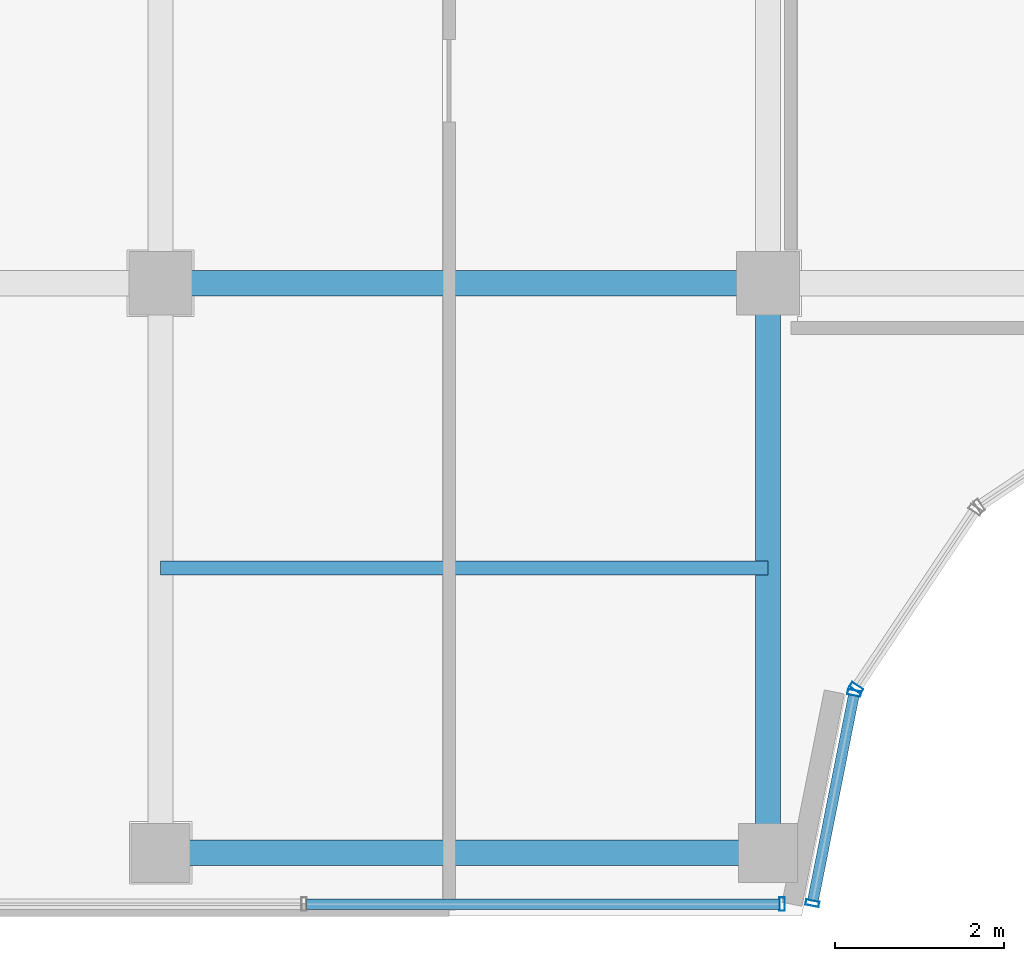
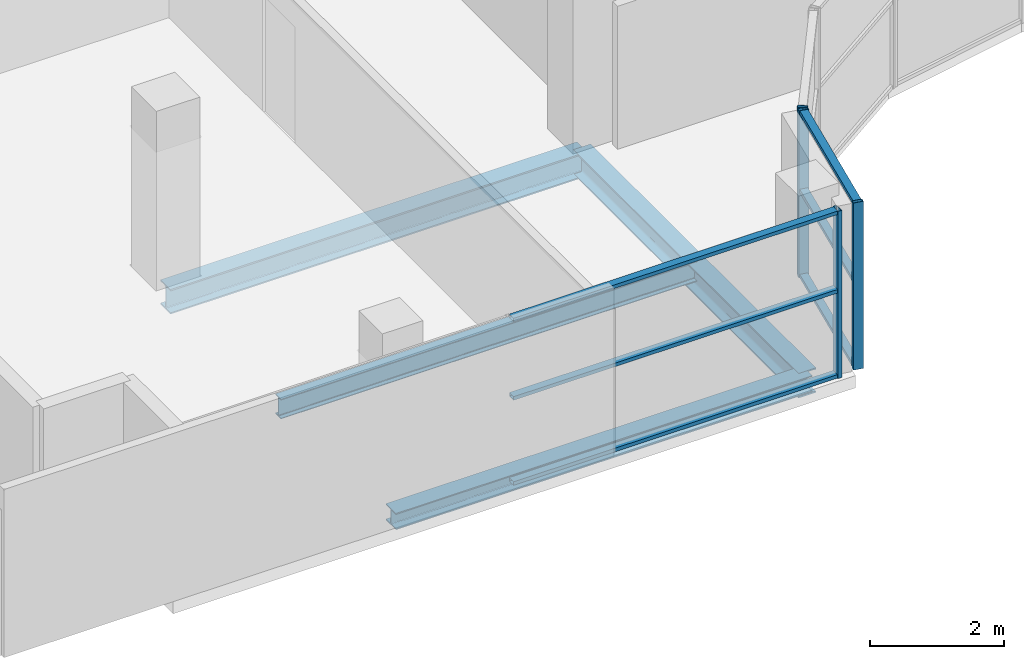
# One storey, part 3 of 29: 10 members, 4 beams, 3 elements without a shape of their own.
"""IFC4 building model written with IfcOpenShell, lengths in metres."""

import ifcopenshell
import ifcopenshell.guid

model = None  # the IFC model being written
_history = None  # IfcOwnerHistory: only IFC2X3 demands one
_inside = {}  # id of a spatial element -> (the spatial element, [elements in it])
_under = {}  # id of a project, library or spatial element -> (it, [spatial elements below it])
_declared = {}  # id of a project -> (the project, [libraries it declares])
_typed = {}  # id of a type object -> (the type object, [elements of that type])
_made_of = {}  # id of a material, layer set ... -> (it, [elements and type objects made of it])


def new_model(schema):
    """Start an empty IFC model of exactly this schema.

    Asked for "IFC4X3", IfcOpenShell would pick the latest addendum, in which some entities
    have other attributes; the version numbers below select the first issue.
    IFC2X3 requires an IfcOwnerHistory on every rooted entity: one is made here for all.
    """
    global model, _history
    if schema == "IFC4X3":
        model = ifcopenshell.file(schema_version=(4, 3, 0, 0))
    else:
        model = ifcopenshell.file(schema=schema)
    _inside.clear()
    _under.clear()
    _declared.clear()
    _typed.clear()
    _made_of.clear()
    _history = None
    if model.schema == "IFC2X3":
        org = make("IfcOrganization", Name="unknown")
        user = make(
            "IfcPersonAndOrganization",
            ThePerson=make("IfcPerson", FamilyName="unknown"),
            TheOrganization=org,
        )
        app = make(
            "IfcApplication",
            ApplicationDeveloper=org,
            Version="unknown",
            ApplicationFullName="unknown",
            ApplicationIdentifier="unknown",
        )
        _history = make(
            "IfcOwnerHistory",
            OwningUser=user,
            OwningApplication=app,
            ChangeAction="ADDED",
            CreationDate=0,
        )
    return model


def make(cls, **values):
    """One entity of the class cls with the attributes given. An attribute that is None is left unset."""
    return model.create_entity(
        cls, **{name: value for name, value in values.items() if value is not None}
    )


def rooted(cls, **values):
    """An entity with a GlobalId (a new one), such as an element, a storey or a relation."""
    return make(cls, GlobalId=ifcopenshell.guid.new(), OwnerHistory=_history, **values)


def si_unit(unit_type, name, prefix=None):
    """IfcSIUnit, for example si_unit("LENGTHUNIT", "METRE", prefix="MILLI")."""
    return make("IfcSIUnit", UnitType=unit_type, Prefix=prefix, Name=name)


def assignment(units):
    """IfcUnitAssignment: the units of a project."""
    return None if units is None else make("IfcUnitAssignment", Units=units)


def point(xyz):
    """IfcCartesianPoint."""
    return None if xyz is None else make("IfcCartesianPoint", Coordinates=xyz)


def direction(xyz):
    """IfcDirection."""
    return None if xyz is None else make("IfcDirection", DirectionRatios=xyz)


def frame(location, z_axis=None, x_axis=None):
    """IfcAxis2Placement3D, a coordinate frame: its origin and axes. An axis left out is left unset."""
    return make(
        "IfcAxis2Placement3D",
        Location=point(location),
        Axis=direction(z_axis),
        RefDirection=direction(x_axis),
    )


def frame_2d(location, x_axis=None):
    """IfcAxis2Placement2D, a coordinate frame in the plane: its origin and x axis."""
    return make(
        "IfcAxis2Placement2D", Location=point(location), RefDirection=direction(x_axis)
    )


def origin():
    """The frame at (0, 0, 0) with its axes left unset."""
    return frame((0.0, 0.0, 0.0))


def origin_2d():
    """The frame at (0, 0) in the plane with its x axis left unset."""
    return frame_2d((0.0, 0.0))


def place(relative_to, where):
    """IfcLocalPlacement: puts the frame where relative to a parent placement (None: the world)."""
    return make(
        "IfcLocalPlacement", PlacementRelTo=relative_to, RelativePlacement=where
    )


def context(
    kind, dimensions, precision=None, world=None, true_north=None, identifier=None
):
    """IfcGeometricRepresentationContext, for example the 3D "Model" context."""
    return make(
        "IfcGeometricRepresentationContext",
        ContextIdentifier=identifier,
        ContextType=kind,
        CoordinateSpaceDimension=dimensions,
        Precision=precision,
        WorldCoordinateSystem=world,
        TrueNorth=true_north,
    )


def subcontext(parent, identifier, kind, view, scale=None):
    """IfcGeometricRepresentationSubContext, for example "Body" below "Model"."""
    return make(
        "IfcGeometricRepresentationSubContext",
        ContextIdentifier=identifier,
        ContextType=kind,
        ParentContext=parent,
        TargetScale=scale,
        TargetView=view,
    )


def project(units=None, contexts=None):
    """IfcProject with its units and contexts."""
    return rooted(
        "IfcProject",
        Name="project",
        RepresentationContexts=contexts,
        UnitsInContext=assignment(units),
    )


def spatial(cls, under=None, at=None, **own):
    """A site, building, storey or space (cls), placed at a placement, below another one or the project."""
    s = rooted(cls, ObjectPlacement=at, **own)
    if under is not None:
        _under.setdefault(under.id(), (under, []))[1].append(s)
    return s


def profile(cls, at=None, kind="AREA", **sizes):
    """A parametric profile (cls). Its sizes go by their IFC names, for example OverallWidth=200.0."""
    return make(cls, ProfileType=kind, Position=at, **sizes)


def hollow_rectangle(**sizes):
    """IfcRectangleHollowProfileDef."""
    return profile("IfcRectangleHollowProfileDef", **sizes)


def i_section(**sizes):
    """IfcIShapeProfileDef."""
    return profile("IfcIShapeProfileDef", **sizes)


def extrude(swept, where, along, depth):
    """IfcExtrudedAreaSolid: the profile swept, set in the frame where, extruded along a direction by depth."""
    return make(
        "IfcExtrudedAreaSolid",
        SweptArea=swept,
        Position=where,
        ExtrudedDirection=direction(along),
        Depth=depth,
    )


def shape(context_of_items, identifier, shape_type, items):
    """IfcShapeRepresentation: the items that make up one representation, for example the "Body"."""
    return make(
        "IfcShapeRepresentation",
        ContextOfItems=context_of_items,
        RepresentationIdentifier=identifier,
        RepresentationType=shape_type,
        Items=items,
    )


def source(mapping_origin, context_of_items, identifier, shape_type, items):
    """IfcRepresentationMap: a shape defined once, which mapped items show again and again."""
    return make(
        "IfcRepresentationMap",
        MappingOrigin=mapping_origin,
        MappedRepresentation=shape(context_of_items, identifier, shape_type, items),
    )


def transform(
    local_origin,
    x_axis=None,
    y_axis=None,
    z_axis=None,
    scale=None,
    scale2=None,
    scale3=None,
    uniform=True,
):
    """IfcCartesianTransformationOperator3D, or its non-uniform kind. x_axis, y_axis, z_axis: its Axis1, 2, 3."""
    if uniform:
        return make(
            "IfcCartesianTransformationOperator3D",
            Axis1=direction(x_axis),
            Axis2=direction(y_axis),
            LocalOrigin=point(local_origin),
            Scale=scale,
            Axis3=direction(z_axis),
        )
    return make(
        "IfcCartesianTransformationOperator3DnonUniform",
        Axis1=direction(x_axis),
        Axis2=direction(y_axis),
        LocalOrigin=point(local_origin),
        Scale=scale,
        Axis3=direction(z_axis),
        Scale2=scale2,
        Scale3=scale3,
    )


def mapped(mapping_source, mapping_target):
    """IfcMappedItem: shows the shape of a source again, moved by a transform."""
    return make(
        "IfcMappedItem", MappingSource=mapping_source, MappingTarget=mapping_target
    )


def material(Name=None, Category=None):
    """IfcMaterial."""
    return make("IfcMaterial", Name=Name, Category=Category)


def layer(
    of_material, thickness, ventilated=None, Name=None, Category=None, Priority=None
):
    """IfcMaterialLayer: one layer of a wall or slab, of a material (None: an air gap)."""
    return make(
        "IfcMaterialLayer",
        Material=of_material,
        LayerThickness=thickness,
        IsVentilated=ventilated,
        Name=Name,
        Category=Category,
        Priority=Priority,
    )


def layer_set(layers, Name=None):
    """IfcMaterialLayerSet."""
    return make("IfcMaterialLayerSet", MaterialLayers=layers, LayerSetName=Name)


def material_profile(
    of_material, cross_section, Name=None, Category=None, Priority=None
):
    """IfcMaterialProfile: a cross section and its material."""
    return make(
        "IfcMaterialProfile",
        Name=Name,
        Material=of_material,
        Profile=cross_section,
        Priority=Priority,
        Category=Category,
    )


def profile_set(profiles, Name=None, composite=None):
    """IfcMaterialProfileSet."""
    return make(
        "IfcMaterialProfileSet",
        Name=Name,
        MaterialProfiles=profiles,
        CompositeProfile=composite,
    )


def made_of(thing, what):
    """Note that an element or type object is made of a material, layer set ...; save() writes the relation."""
    if what is not None:
        _made_of.setdefault(what.id(), (what, []))[1].append(thing)
    return thing


def type_object(cls, material=None, **own):
    """A type object (cls), such as IfcWallType, which elements share."""
    return made_of(rooted(cls, **own), material)


def element(
    cls,
    number,
    at=None,
    inside=None,
    cuts=None,
    type_object=None,
    material=None,
    context=None,
    identifier="Body",
    shape_type=None,
    held_by="IfcProductDefinitionShape",
    body=None,
    shapes=None,
    **own,
):
    """One element of the class cls, such as IfcWall. Its Tag is "e" and its number.

    at: its placement. inside: the storey or other place that contains it. cuts: it is an
    opening in that element (IfcRelVoidsElement). A single representation is given by context,
    identifier, shape_type and body (its items); several are given by shapes. held_by: the class
    of the entity that holds the representations. save() writes the other relations.
    """
    e = rooted(cls, Tag="e%d" % number, ObjectPlacement=at, **own)
    if body is not None:
        shapes = [shape(context, identifier, shape_type, body)]
    if shapes is not None:
        e.Representation = make(held_by, Representations=shapes)
    if inside is not None:
        _inside.setdefault(inside.id(), (inside, []))[1].append(e)
    if cuts is not None:
        rooted(
            "IfcRelVoidsElement", RelatingBuildingElement=cuts, RelatedOpeningElement=e
        )
    if type_object is not None:
        _typed.setdefault(type_object.id(), (type_object, []))[1].append(e)
    return made_of(e, material)


def aggregate(whole, parts):
    """IfcRelAggregates: a whole, such as a stair, and the parts it consists of."""
    return rooted("IfcRelAggregates", RelatingObject=whole, RelatedObjects=parts)


def save(model, path):
    """Write the relations noted so far, then the file.

    IfcRelAggregates (storeys below a building ...), IfcRelContainedInSpatialStructure (elements
    in a storey), IfcRelDefinesByType, IfcRelAssociatesMaterial and IfcRelDeclares: one each for
    every whole, place, type object, material and project.
    """
    for whole, parts in _under.values():
        aggregate(whole, parts)
    for where, things in _inside.values():
        rooted(
            "IfcRelContainedInSpatialStructure",
            RelatedElements=things,
            RelatingStructure=where,
        )
    for kind, things in _typed.values():
        rooted("IfcRelDefinesByType", RelatedObjects=things, RelatingType=kind)
    for what, things in _made_of.values():
        rooted("IfcRelAssociatesMaterial", RelatedObjects=things, RelatingMaterial=what)
    for by, libraries in _declared.values():
        rooted("IfcRelDeclares", RelatingContext=by, RelatedDefinitions=libraries)
    model.write(path)


model = new_model("IFC4")

# Units and contexts
model_context = context("Model", 3, precision=1e-05, world=origin(), true_north=direction((0.0, 1.0)))
body_context = subcontext(model_context, "Body", "Model", "MODEL_VIEW")
ifc_project = project(units=[si_unit("LENGTHUNIT", "METRE"), si_unit("AREAUNIT", "SQUARE_METRE"), si_unit("VOLUMEUNIT", "CUBIC_METRE"), si_unit("PLANEANGLEUNIT", "RADIAN"), si_unit("MASSUNIT", "GRAM", prefix="KILO")], contexts=[model_context])

# Site, building, storey
site_placement = place(None, origin())
site = spatial("IfcSite", under=ifc_project, at=site_placement, CompositionType="ELEMENT")
building_placement = place(site_placement, origin())
building = spatial("IfcBuilding", under=site, at=building_placement, Name="Zarnakvel Exchange Tower", CompositionType="ELEMENT")
storey_placement = place(building_placement, frame((0.0, 0.0, 265.0)))
storey = spatial("IfcBuildingStorey", under=building, at=storey_placement, Name="L75", CompositionType="ELEMENT", Elevation=265.0)

# Beams
ifc_material_1 = material(Name="Steel S355", Category="steel")
ifc_material_profile_1 = material_profile(ifc_material_1, i_section(OverallWidth=0.169921875, OverallDepth=0.360107421875, WebThickness=0.008056640625, FlangeThickness=0.0126953125, FilletRadius=0.01806640625, at=origin_2d()))
ifc_profile_set_1 = profile_set([ifc_material_profile_1], Name="Steel S355")
beam_type_1 = type_object("IfcBeamType", Name="B-07", PredefinedType="JOIST", material=ifc_profile_set_1)
beam_1_placement = place(storey_placement, frame((-14.39990234375, -12.97509765625, -0.405029296875), z_axis=(1.0, 0.0, 0.0), x_axis=(0.0, 1.0, 0.0)))
element("IfcBeam", 1, at=beam_1_placement, inside=storey, type_object=beam_type_1, Name="L75 Composite Floor Secondary Joist", PredefinedType="JOIST", context=body_context, shape_type="SweptSolid", body=[
    extrude(i_section(OverallWidth=0.169921875, OverallDepth=0.360107421875, WebThickness=0.008056640625, FlangeThickness=0.0126953125, FilletRadius=0.01806640625, at=origin_2d()), origin(), (0.0, 0.0, 1.0), 7.199951171875),
])
ifc_material_profile_2 = material_profile(ifc_material_1, i_section(OverallWidth=0.300048828125, OverallDepth=0.449951171875, WebThickness=0.013916015625, FlangeThickness=0.02587890625, FilletRadius=0.027099609375, at=origin_2d()))
ifc_profile_set_2 = profile_set([ifc_material_profile_2], Name="Steel S355")
beam_type_2 = type_object("IfcBeamType", Name="G-07", PredefinedType="BEAM", material=ifc_profile_set_2)
beam_2_placement = place(storey_placement, frame((-14.39990234375, -9.60009765625, -0.449951171875), z_axis=(1.0, 0.0, 0.0), x_axis=(0.0, 1.0, 0.0)))
element("IfcBeam", 2, at=beam_2_placement, inside=storey, type_object=beam_type_2, Name="L75 Tower E-W Frame Beam", PredefinedType="BEAM", context=body_context, shape_type="SweptSolid", body=[
    extrude(i_section(OverallWidth=0.300048828125, OverallDepth=0.449951171875, WebThickness=0.013916015625, FlangeThickness=0.02587890625, FilletRadius=0.027099609375, at=origin_2d()), origin(), (0.0, 0.0, 1.0), 7.199951171875),
])
beam_3_placement = place(storey_placement, frame((-7.199951171875, -16.35009765625, -0.449951171875), z_axis=(0.0, 1.0, 0.0), x_axis=(-1.0, 0.0, 0.0)))
element("IfcBeam", 3, at=beam_3_placement, inside=storey, type_object=beam_type_2, Name="L75 Tower N-S Frame Beam", PredefinedType="BEAM", context=body_context, shape_type="SweptSolid", body=[
    extrude(i_section(OverallWidth=0.300048828125, OverallDepth=0.449951171875, WebThickness=0.013916015625, FlangeThickness=0.02587890625, FilletRadius=0.027099609375, at=origin_2d()), origin(), (0.0, 0.0, 1.0), 6.75),
])
ifc_material_profile_3 = material_profile(ifc_material_1, i_section(OverallWidth=0.300048828125, OverallDepth=0.300048828125, WebThickness=0.010986328125, FlangeThickness=0.01904296875, FilletRadius=0.027099609375, at=origin_2d()))
ifc_profile_set_3 = profile_set([ifc_material_profile_3], Name="Steel S355")
beam_type_3 = type_object("IfcBeamType", Name="SP-03", PredefinedType="SPANDREL", material=ifc_profile_set_3)
beam_4_placement = place(storey_placement, frame((-14.39990234375, -16.35009765625, -0.375), z_axis=(1.0, 0.0, 0.0), x_axis=(0.0, 1.0, 0.0)))
element("IfcBeam", 4, at=beam_4_placement, inside=storey, type_object=beam_type_3, Name="L75 Tower E-W Frame Beam", PredefinedType="SPANDREL", context=body_context, shape_type="SweptSolid", body=[
    extrude(i_section(OverallWidth=0.300048828125, OverallDepth=0.300048828125, WebThickness=0.010986328125, FlangeThickness=0.01904296875, FilletRadius=0.027099609375, at=origin_2d()), origin(), (0.0, 0.0, 1.0), 7.199951171875),
])

# Curtain wall, members
ifc_material_2 = material(Name="Architectural Bronze Anodised Aluminium", Category="aluminium")
ifc_layer = layer(ifc_material_2, 0.159912109375)
ifc_layer_set = layer_set([ifc_layer], Name="Architectural Bronze Anodised Aluminium")
curtain_wall_type = type_object("IfcCurtainWallType", Name="CW-06", PredefinedType="NOTDEFINED", material=ifc_layer_set)
curtain_wall_1_placement = place(storey_placement, origin())
curtain_wall_1 = element("IfcCurtainWall", 5, at=curtain_wall_1_placement, inside=storey, type_object=curtain_wall_type, Name="L75 Curtain Wall CW-L75-NC1 (CW-06)", PredefinedType="NOTDEFINED")
ifc_material_profile_4 = material_profile(ifc_material_2, hollow_rectangle(XDim=0.1298828125, YDim=0.06494140625, WallThickness=0.00390625, at=origin_2d()))
ifc_profile_set_4 = profile_set([ifc_material_profile_4], Name="Architectural Bronze Anodised Aluminium")
member_type_1 = type_object("IfcMemberType", Name="CWT-06", PredefinedType="USERDEFINED", material=ifc_profile_set_4)
shared_shape_1 = source(origin(), body_context, "Body", "SweptSolid", [
    extrude(hollow_rectangle(XDim=0.1298828125, YDim=0.06494140625, WallThickness=0.00390625, at=origin_2d()), origin(), (0.0, 0.0, 1.0), 2.4765625),
])
member_1_placement = place(storey_placement, frame((-6.667236328125, -16.916259765625, 0.032470703125), z_axis=(0.195092299863, 0.980784886983, 0.0), x_axis=(-0.980784886983, 0.195092299863, 0.0)))
member_1 = element("IfcMember", 6, at=member_1_placement, type_object=member_type_1, Name="CW-06 transom 1.1", ObjectType="TRANSOM", PredefinedType="USERDEFINED", context=body_context, shape_type="MappedRepresentation", body=[
    mapped(shared_shape_1, transform((0.0, 0.0, 0.0), x_axis=(1.0, 0.0, 0.0), y_axis=(0.0, 1.0, 0.0), z_axis=(0.0, 0.0, 1.0), scale=1.0)),
])
member_2_placement = place(storey_placement, frame((-6.667236328125, -16.916259765625, 1.588623046875), z_axis=(0.195092299863, 0.980784886983, 0.0), x_axis=(-0.980784886983, 0.195092299863, 0.0)))
member_2 = element("IfcMember", 7, at=member_2_placement, type_object=member_type_1, Name="CW-06 transom 1.2", ObjectType="TRANSOM", PredefinedType="USERDEFINED", context=body_context, shape_type="MappedRepresentation", body=[
    mapped(shared_shape_1, transform((0.0, 0.0, 0.0), x_axis=(1.0, 0.0, 0.0), y_axis=(0.0, 1.0, 0.0), z_axis=(0.0, 0.0, 1.0), scale=1.0)),
])
member_3_placement = place(storey_placement, frame((-6.667236328125, -16.916259765625, 3.0224609375), z_axis=(0.195092299863, 0.980784886983, 0.0), x_axis=(-0.980784886983, 0.195092299863, 0.0)))
member_3 = element("IfcMember", 8, at=member_3_placement, type_object=member_type_1, Name="CW-06 transom 1.3", ObjectType="TRANSOM", PredefinedType="USERDEFINED", context=body_context, shape_type="MappedRepresentation", body=[
    mapped(shared_shape_1, transform((0.0, 0.0, 0.0), x_axis=(1.0, 0.0, 0.0), y_axis=(0.0, 1.0, 0.0), z_axis=(0.0, 0.0, 1.0), scale=1.0)),
])

curtain_wall_2_placement = place(storey_placement, origin())
curtain_wall_2 = element("IfcCurtainWall", 9, at=curtain_wall_2_placement, inside=storey, type_object=curtain_wall_type, Name="L75 Curtain Wall CW-L75-NSW (CW-06)", PredefinedType="NOTDEFINED")
shared_shape_2 = source(origin(), body_context, "Body", "SweptSolid", [
    extrude(hollow_rectangle(XDim=0.1298828125, YDim=0.06494140625, WallThickness=0.00390625, at=origin_2d()), origin(), (0.0, 0.0, 1.0), 5.6025390625),
])
member_4_placement = place(storey_placement, frame((-12.66748046875, -16.9599609375, 0.032470703125), z_axis=(1.0, 0.0, 0.0), x_axis=(0.0, 1.0, 0.0)))
member_4 = element("IfcMember", 10, at=member_4_placement, type_object=member_type_1, Name="CW-06 transom 2.1", ObjectType="TRANSOM", PredefinedType="USERDEFINED", context=body_context, shape_type="MappedRepresentation", body=[
    mapped(shared_shape_2, transform((0.0, 0.0, 0.0), x_axis=(1.0, 0.0, 0.0), y_axis=(0.0, 1.0, 0.0), z_axis=(0.0, 0.0, 1.0), scale=1.0)),
])
member_5_placement = place(storey_placement, frame((-12.66748046875, -16.9599609375, 1.588623046875), z_axis=(1.0, 0.0, 0.0), x_axis=(0.0, 1.0, 0.0)))
member_5 = element("IfcMember", 11, at=member_5_placement, type_object=member_type_1, Name="CW-06 transom 2.2", ObjectType="TRANSOM", PredefinedType="USERDEFINED", context=body_context, shape_type="MappedRepresentation", body=[
    mapped(shared_shape_2, transform((0.0, 0.0, 0.0), x_axis=(1.0, 0.0, 0.0), y_axis=(0.0, 1.0, 0.0), z_axis=(0.0, 0.0, 1.0), scale=1.0)),
])
member_6_placement = place(storey_placement, frame((-12.66748046875, -16.9599609375, 3.0224609375), z_axis=(1.0, 0.0, 0.0), x_axis=(0.0, 1.0, 0.0)))
member_6 = element("IfcMember", 12, at=member_6_placement, type_object=member_type_1, Name="CW-06 transom 2.3", ObjectType="TRANSOM", PredefinedType="USERDEFINED", context=body_context, shape_type="MappedRepresentation", body=[
    mapped(shared_shape_2, transform((0.0, 0.0, 0.0), x_axis=(1.0, 0.0, 0.0), y_axis=(0.0, 1.0, 0.0), z_axis=(0.0, 0.0, 1.0), scale=1.0)),
])

# Member
ifc_material_profile_5 = material_profile(ifc_material_2, hollow_rectangle(XDim=0.159912109375, YDim=0.06494140625, WallThickness=0.00390625, at=origin_2d()))
ifc_profile_set_5 = profile_set([ifc_material_profile_5], Name="Architectural Bronze Anodised Aluminium")
member_type_2 = type_object("IfcMemberType", Name="CWM-06", PredefinedType="MULLION", material=ifc_profile_set_5)
shared_shape_3 = source(origin(), body_context, "Body", "SweptSolid", [
    extrude(hollow_rectangle(XDim=0.159912109375, YDim=0.06494140625, WallThickness=0.00390625, at=origin_2d()), origin(), (0.0, 0.0, 1.0), 3.054931640625),
])
member_7_placement = place(storey_placement, frame((-6.673583984375, -16.9482421875, 0.0), z_axis=(0.0, 0.0, 1.0), x_axis=(-0.980785255264, 0.195090448398, 0.0)))
member_7 = element("IfcMember", 13, at=member_7_placement, type_object=member_type_2, Name="CW-06 mullion 1", PredefinedType="MULLION", context=body_context, shape_type="MappedRepresentation", body=[
    mapped(shared_shape_3, transform((0.0, 0.0, 0.0), x_axis=(1.0, 0.0, 0.0), y_axis=(0.0, 1.0, 0.0), z_axis=(0.0, 0.0, 1.0), scale=1.0)),
])

member_8_placement = place(storey_placement, frame((-6.177734375, -14.45556640625, 0.0), z_axis=(0.0, 0.0, 1.0), x_axis=(-0.980785255264, 0.195090448398, 0.0)))
member_8 = element("IfcMember", 14, at=member_8_placement, type_object=member_type_2, Name="CW-06 mullion 2", PredefinedType="MULLION", context=body_context, shape_type="MappedRepresentation", body=[
    mapped(shared_shape_3, transform((0.0, 0.0, 0.0), x_axis=(1.0, 0.0, 0.0), y_axis=(0.0, 1.0, 0.0), z_axis=(0.0, 0.0, 1.0), scale=1.0)),
])

aggregate(curtain_wall_1, [member_7, member_8, member_1, member_2, member_3])

# Curtain wall, member
curtain_wall_3_placement = place(storey_placement, origin())
curtain_wall_3 = element("IfcCurtainWall", 15, at=curtain_wall_3_placement, inside=storey, type_object=curtain_wall_type, Name="L75 Curtain Wall CW-L75-NC2 (CW-06)", PredefinedType="NOTDEFINED")
member_9_placement = place(storey_placement, frame((-6.153564453125, -14.396728515625, 0.0), z_axis=(0.0, 0.0, 1.0), x_axis=(-0.831469612089, 0.555570233339, 0.0)))
member_9 = element("IfcMember", 16, at=member_9_placement, type_object=member_type_2, Name="CW-06 mullion 1", PredefinedType="MULLION", context=body_context, shape_type="MappedRepresentation", body=[
    mapped(shared_shape_3, transform((0.0, 0.0, 0.0), x_axis=(1.0, 0.0, 0.0), y_axis=(0.0, 1.0, 0.0), z_axis=(0.0, 0.0, 1.0), scale=1.0)),
])
aggregate(curtain_wall_3, [member_9])

# Member
member_10_placement = place(storey_placement, frame((-7.032470703125, -16.9599609375, 0.0), z_axis=(0.0, 0.0, 1.0), x_axis=(0.0, 1.0, 0.0)))
member_10 = element("IfcMember", 17, at=member_10_placement, type_object=member_type_2, Name="CW-06 mullion 3", PredefinedType="MULLION", context=body_context, shape_type="MappedRepresentation", body=[
    mapped(shared_shape_3, transform((0.0, 0.0, 0.0), x_axis=(1.0, 0.0, 0.0), y_axis=(0.0, 1.0, 0.0), z_axis=(0.0, 0.0, 1.0), scale=1.0)),
])

aggregate(curtain_wall_2, [member_10, member_4, member_5, member_6])

save(model, "model.ifc")
